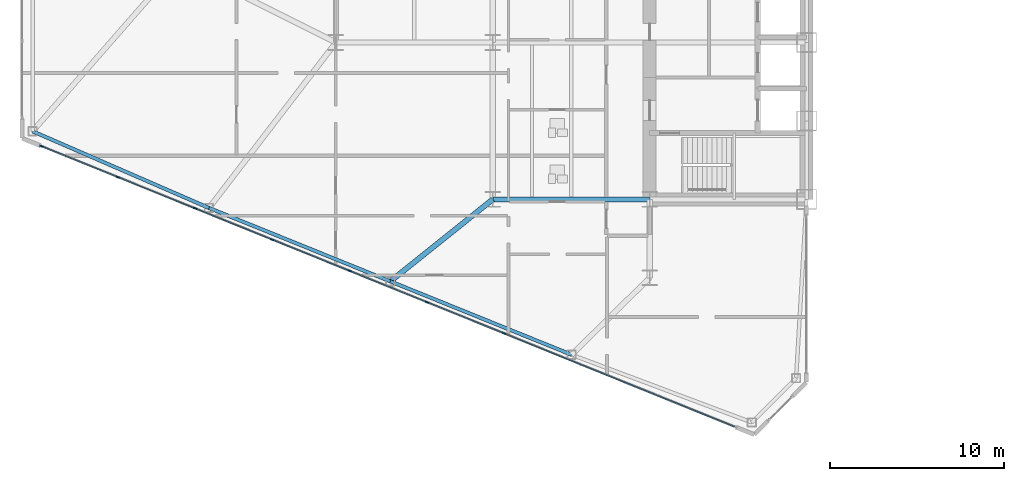
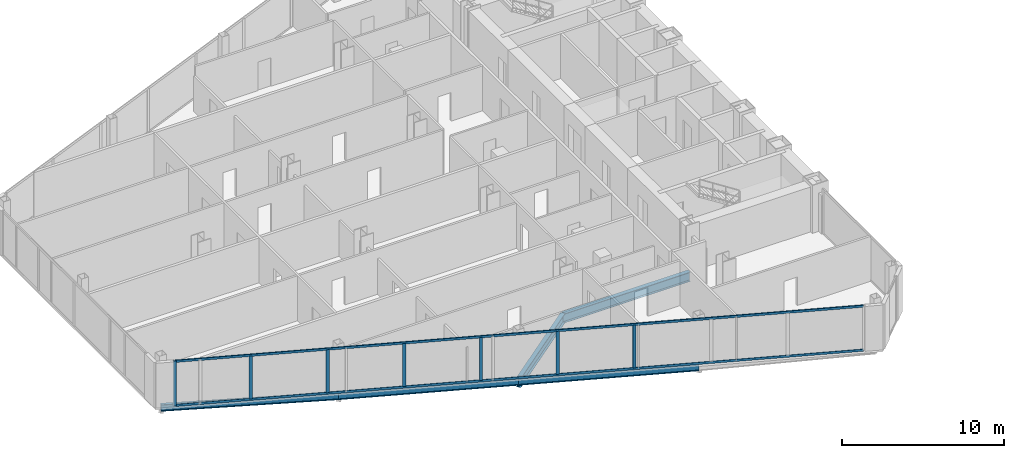
# One storey, part 3 of 25: 9 members, 5 beams, 1 element without a shape of its own.
"""IFC4 building model written with IfcOpenShell, lengths in metres."""

from ifc_helpers import new_model, si_unit, direction, frame, origin, origin_2d, place, context, subcontext, project, spatial, rectangle, i_section, extrude, source, transform, mapped, material, layer, layer_set, material_profile, profile_set, type_object, type_shapes, element, aggregate, save


model = new_model("IFC4")

# Units and contexts
model_context = context("Model", 3, precision=1e-05, world=origin(), true_north=direction((0.0, 1.0)))
body_context = subcontext(model_context, "Body", "Model", "MODEL_VIEW")
ifc_project = project(units=[si_unit("LENGTHUNIT", "METRE"), si_unit("AREAUNIT", "SQUARE_METRE"), si_unit("VOLUMEUNIT", "CUBIC_METRE"), si_unit("PLANEANGLEUNIT", "RADIAN"), si_unit("MASSUNIT", "GRAM", prefix="KILO")], contexts=[model_context])

# Site, building, storey
site_placement = place(None, origin())
site = spatial("IfcSite", under=ifc_project, at=site_placement, CompositionType="ELEMENT")
building_placement = place(site_placement, origin())
building = spatial("IfcBuilding", under=site, at=building_placement, Name="Seokmaru Belvedere", CompositionType="ELEMENT")
storey_placement = place(building_placement, frame((0.0, 0.0, 40.5)))
storey = spatial("IfcBuildingStorey", under=building, at=storey_placement, Name="L10", CompositionType="ELEMENT", Elevation=40.5)

# Beams
ifc_material_1 = material(Name="Steel SM355 (355 MPa)", Category="steel")
ifc_material_profile_1 = material_profile(ifc_material_1, i_section(OverallWidth=0.300048828125, OverallDepth=0.699951171875, WebThickness=0.012939453125, FlangeThickness=0.02392578125, at=origin_2d()), Name="H-700x300x13x24")
ifc_profile_set_1 = profile_set([ifc_material_profile_1], Name="Steel SM355 (355 MPa)")
beam_type_1 = type_object("IfcBeamType", Name="Primary Floor Girder H-700", PredefinedType="BEAM", material=ifc_profile_set_1)
shared_shape_1 = source(origin(), body_context, "Body", "SweptSolid", [
    extrude(i_section(OverallWidth=0.300048828125, OverallDepth=0.699951171875, WebThickness=0.012939453125, FlangeThickness=0.02392578125, at=origin_2d()), origin(), (0.0, 0.0, 1.0), 9.0),
])
beam_1_placement = place(storey_placement, frame((-45.5, -13.5, -0.570068359375), z_axis=(1.0, 0.0, 0.0), x_axis=(0.0, 1.0, 0.0)))
element("IfcBeam", 1, at=beam_1_placement, inside=storey, type_object=beam_type_1, Name="L10 W Wing Primary Girder 1", PredefinedType="BEAM", context=body_context, shape_type="MappedRepresentation", body=[
    mapped(shared_shape_1, transform((0.0, 0.0, 0.0), scale=1.0)),
])
ifc_material_profile_2 = material_profile(ifc_material_1, i_section(OverallWidth=0.199951171875, OverallDepth=0.5, WebThickness=0.010009765625, FlangeThickness=0.01611328125, at=origin_2d()), Name="H-500x200x10x16")
ifc_profile_set_2 = profile_set([ifc_material_profile_2], Name="Steel SM355 (355 MPa)")
beam_type_2 = type_object("IfcBeamType", Name="Perimeter Spandrel Beam H-500", PredefinedType="SPANDREL", material=ifc_profile_set_2)
shared_shape_2 = source(origin(), body_context, "Body", "SweptSolid", [
    extrude(i_section(OverallWidth=0.199951171875, OverallDepth=0.5, WebThickness=0.010009765625, FlangeThickness=0.01611328125, at=origin_2d()), origin(), (0.0, 0.0, 1.0), 11.220703125),
])
for number, where, z_axis, x_axis, name in (
    (2, (-40.977294921875, -22.4140625, -0.469970703125), (-0.926944290816, 0.375198989503, 0.0), (-0.375198989503, -0.926944290816, 0.0), "L10 W Faceted Flank Spandrel S-2"),
    (3, (-51.378173828125, -18.2041015625, -0.469970703125), (-0.926944290816, 0.375198989503, 0.0), (-0.375198989503, -0.926944290816, 0.0), "L10 W Faceted Flank Spandrel S-3"),
):
    element("IfcBeam", number, at=place(storey_placement, frame(where, z_axis=z_axis, x_axis=x_axis)), inside=storey, type_object=beam_type_2, Name=name, PredefinedType="SPANDREL", context=body_context, shape_type="MappedRepresentation", body=[
        mapped(shared_shape_2, transform((0.0, 0.0, 0.0), scale=1.0)),
    ])
shared_shape_3 = source(origin(), body_context, "Body", "SweptSolid", [
    extrude(i_section(OverallWidth=0.199951171875, OverallDepth=0.5, WebThickness=0.010009765625, FlangeThickness=0.01611328125, at=origin_2d()), origin(), (0.0, 0.0, 1.0), 11.035400390625),
])
type_shapes(beam_type_2, [shared_shape_2, shared_shape_3])
beam_2_placement = place(storey_placement, frame((-61.779052734375, -13.994140625, -0.469970703125), z_axis=(-0.917134058682, 0.398578873507, 0.0), x_axis=(-0.398578873507, -0.917134058682, 0.0)))
element("IfcBeam", 4, at=beam_2_placement, inside=storey, type_object=beam_type_2, Name="L10 W Faceted Flank Spandrel S-4", PredefinedType="SPANDREL", context=body_context, shape_type="MappedRepresentation", body=[
    mapped(shared_shape_3, transform((0.0, 0.0, 0.0), scale=1.0)),
])
shared_shape_4 = source(origin(), body_context, "Body", "SweptSolid", [
    extrude(i_section(OverallWidth=0.300048828125, OverallDepth=0.699951171875, WebThickness=0.012939453125, FlangeThickness=0.02392578125, at=origin_2d()), origin(), (0.0, 0.0, 1.0), 7.52880859375),
])
type_shapes(beam_type_1, [shared_shape_1, shared_shape_4])
beam_3_placement = place(storey_placement, frame((-51.378173828125, -18.2041015625, -0.570068359375), z_axis=(0.780767560736, 0.624821587418, 0.0), x_axis=(-0.624821587418, 0.780767560736, 0.0)))
element("IfcBeam", 5, at=beam_3_placement, inside=storey, type_object=beam_type_1, Name="L10 W Flank Radial Floor Girder S-2", PredefinedType="BEAM", context=body_context, shape_type="MappedRepresentation", body=[
    mapped(shared_shape_4, transform((0.0, 0.0, 0.0), scale=1.0)),
])

# Curtain wall, members
ifc_material_2 = material(Name="Bronze Triple Insulating Glass", Category="glass")
ifc_layer = layer(ifc_material_2, 0.2099609375)
ifc_layer_set = layer_set([ifc_layer], Name="Bronze Triple Insulating Glass")
curtain_wall_type = type_object("IfcCurtainWallType", Name="Low-Rise Faceted Crystal Curtain Wall System CW-2", PredefinedType="NOTDEFINED", material=ifc_layer_set)
curtain_wall_placement = place(storey_placement, origin())
curtain_wall = element("IfcCurtainWall", 6, at=curtain_wall_placement, inside=storey, type_object=curtain_wall_type, Name="L10 Curtain Wall WF5", PredefinedType="NOTDEFINED")
ifc_material_3 = material(Name="Anodised Bronze Aluminium", Category="aluminium")
ifc_material_profile_3 = material_profile(ifc_material_3, rectangle(XDim=0.074951171875, YDim=0.2099609375, at=origin_2d()), Name="CW-M-75x210")
ifc_profile_set_3 = profile_set([ifc_material_profile_3], Name="Anodised Bronze Aluminium")
member_type_1 = type_object("IfcMemberType", Name="Bronze Unitised Mullion 75x210", PredefinedType="MULLION", material=ifc_profile_set_3)
shared_shape_5 = source(origin(), body_context, "Body", "SweptSolid", [
    extrude(rectangle(XDim=0.074951171875, YDim=0.2099609375, at=origin_2d()), origin(), (0.0, 0.0, 1.0), 3.239990234375),
])
member_1_placement = place(storey_placement, frame((-67.004150390625, -12.224609375, 0.070068359375), z_axis=(0.0, 0.0, 1.0), x_axis=(0.375192321888, 0.926946989637, 0.0)))
member_1 = element("IfcMember", 7, at=member_1_placement, type_object=member_type_1, Name="CW:L10:WF5 Mullion 2", PredefinedType="MULLION", context=body_context, shape_type="MappedRepresentation", body=[
    mapped(shared_shape_5, transform((0.0, 0.0, 0.0), scale=1.0)),
])
member_2_placement = place(storey_placement, frame((-62.574462890625, -14.017578125, 0.070068359375), z_axis=(0.0, 0.0, 1.0), x_axis=(0.375192321888, 0.926946989637, 0.0)))
member_2 = element("IfcMember", 8, at=member_2_placement, type_object=member_type_1, Name="CW:L10:WF5 Mullion 3", PredefinedType="MULLION", context=body_context, shape_type="MappedRepresentation", body=[
    mapped(shared_shape_5, transform((0.0, 0.0, 0.0), scale=1.0)),
])
member_3_placement = place(storey_placement, frame((-58.144775390625, -15.810546875, 0.070068359375), z_axis=(0.0, 0.0, 1.0), x_axis=(0.375192321888, 0.926946989637, 0.0)))
member_3 = element("IfcMember", 9, at=member_3_placement, type_object=member_type_1, Name="CW:L10:WF5 Mullion 4", PredefinedType="MULLION", context=body_context, shape_type="MappedRepresentation", body=[
    mapped(shared_shape_5, transform((0.0, 0.0, 0.0), scale=1.0)),
])
member_4_placement = place(storey_placement, frame((-53.71484375, -17.603515625, 0.070068359375), z_axis=(0.0, 0.0, 1.0), x_axis=(0.375192321888, 0.926946989637, 0.0)))
member_4 = element("IfcMember", 10, at=member_4_placement, type_object=member_type_1, Name="CW:L10:WF5 Mullion 5", PredefinedType="MULLION", context=body_context, shape_type="MappedRepresentation", body=[
    mapped(shared_shape_5, transform((0.0, 0.0, 0.0), scale=1.0)),
])
member_5_placement = place(storey_placement, frame((-49.28515625, -19.396484375, 0.070068359375), z_axis=(0.0, 0.0, 1.0), x_axis=(0.375192321888, 0.926946989637, 0.0)))
member_5 = element("IfcMember", 11, at=member_5_placement, type_object=member_type_1, Name="CW:L10:WF5 Mullion 6", PredefinedType="MULLION", context=body_context, shape_type="MappedRepresentation", body=[
    mapped(shared_shape_5, transform((0.0, 0.0, 0.0), scale=1.0)),
])
member_6_placement = place(storey_placement, frame((-44.855224609375, -21.189453125, 0.070068359375), z_axis=(0.0, 0.0, 1.0), x_axis=(0.375192321888, 0.926946989637, 0.0)))
member_6 = element("IfcMember", 12, at=member_6_placement, type_object=member_type_1, Name="CW:L10:WF5 Mullion 7", PredefinedType="MULLION", context=body_context, shape_type="MappedRepresentation", body=[
    mapped(shared_shape_5, transform((0.0, 0.0, 0.0), scale=1.0)),
])
ifc_material_profile_4 = material_profile(ifc_material_3, rectangle(XDim=0.070068359375, YDim=0.1650390625, at=origin_2d()), Name="CW-T-70x165")
ifc_profile_set_4 = profile_set([ifc_material_profile_4], Name="Anodised Bronze Aluminium")
member_type_2 = type_object("IfcMemberType", Name="Bronze Unitised Transom 70x165", PredefinedType="USERDEFINED", material=ifc_profile_set_4)
shared_shape_6 = source(origin(), body_context, "Body", "SweptSolid", [
    extrude(rectangle(XDim=0.070068359375, YDim=0.1650390625, at=origin_2d()), origin(), (0.0, 0.0, 1.0), 42.860107421875),
])
type_shapes(member_type_2, [shared_shape_6])
member_7_placement = place(storey_placement, frame((-71.364501953125, -10.459716796875, 0.034912109375), z_axis=(0.926948605599, -0.375188329481, 0.0), x_axis=(0.375188329481, 0.926948605599, 0.0)))
member_7 = element("IfcMember", 13, at=member_7_placement, type_object=member_type_2, Name="CW:L10:WF5 Continuous Transom 1", ObjectType="TRANSOM", PredefinedType="USERDEFINED", context=body_context, shape_type="MappedRepresentation", body=[
    mapped(shared_shape_6, transform((0.0, 0.0, 0.0), scale=1.0)),
])
member_8_placement = place(storey_placement, frame((-71.364501953125, -10.459716796875, 3.344970703125), z_axis=(0.926948605599, -0.375188329481, 0.0), x_axis=(0.375188329481, 0.926948605599, 0.0)))
member_8 = element("IfcMember", 14, at=member_8_placement, type_object=member_type_2, Name="CW:L10:WF5 Continuous Transom 2", ObjectType="TRANSOM", PredefinedType="USERDEFINED", context=body_context, shape_type="MappedRepresentation", body=[
    mapped(shared_shape_6, transform((0.0, 0.0, 0.0), scale=1.0)),
])
shared_shape_7 = source(origin(), body_context, "Body", "SweptSolid", [
    extrude(rectangle(XDim=0.074951171875, YDim=0.2099609375, at=origin_2d()), origin(), (0.0, 0.0, 1.0), 3.3798828125),
])
type_shapes(member_type_1, [shared_shape_5, shared_shape_7])
member_9_placement = place(storey_placement, frame((-71.399169921875, -10.445556640625, 0.0), z_axis=(0.0, 0.0, 1.0), x_axis=(0.375192321888, 0.926946989637, 0.0)))
member_9 = element("IfcMember", 15, at=member_9_placement, type_object=member_type_1, Name="CW:L10:WF5 Mullion 1", PredefinedType="MULLION", context=body_context, shape_type="MappedRepresentation", body=[
    mapped(shared_shape_7, transform((0.0, 0.0, 0.0), scale=1.0)),
])
aggregate(curtain_wall, [member_9, member_1, member_2, member_3, member_4, member_5, member_6, member_7, member_8])

save(model, "model.ifc")
